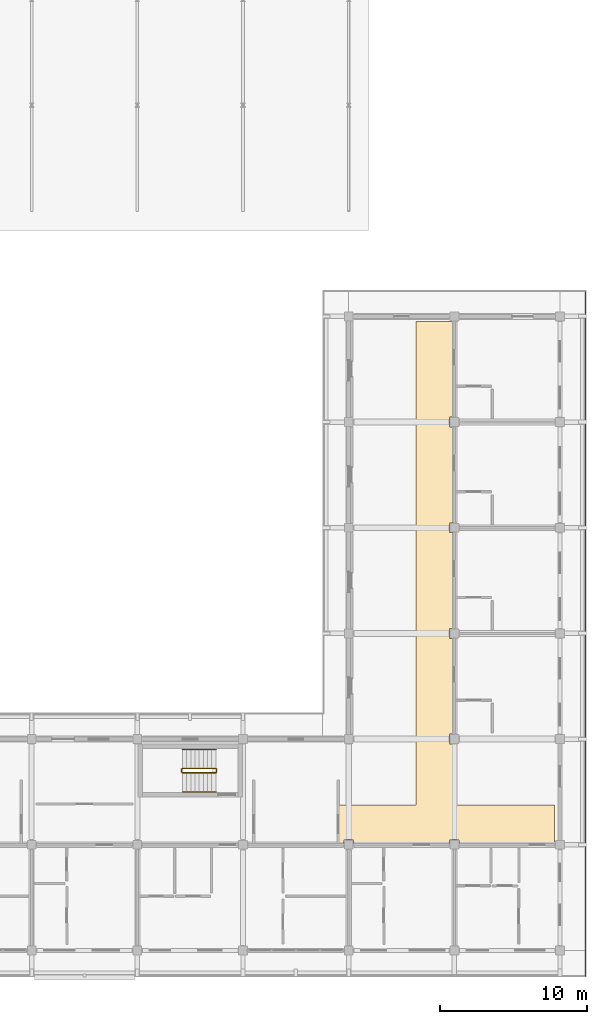
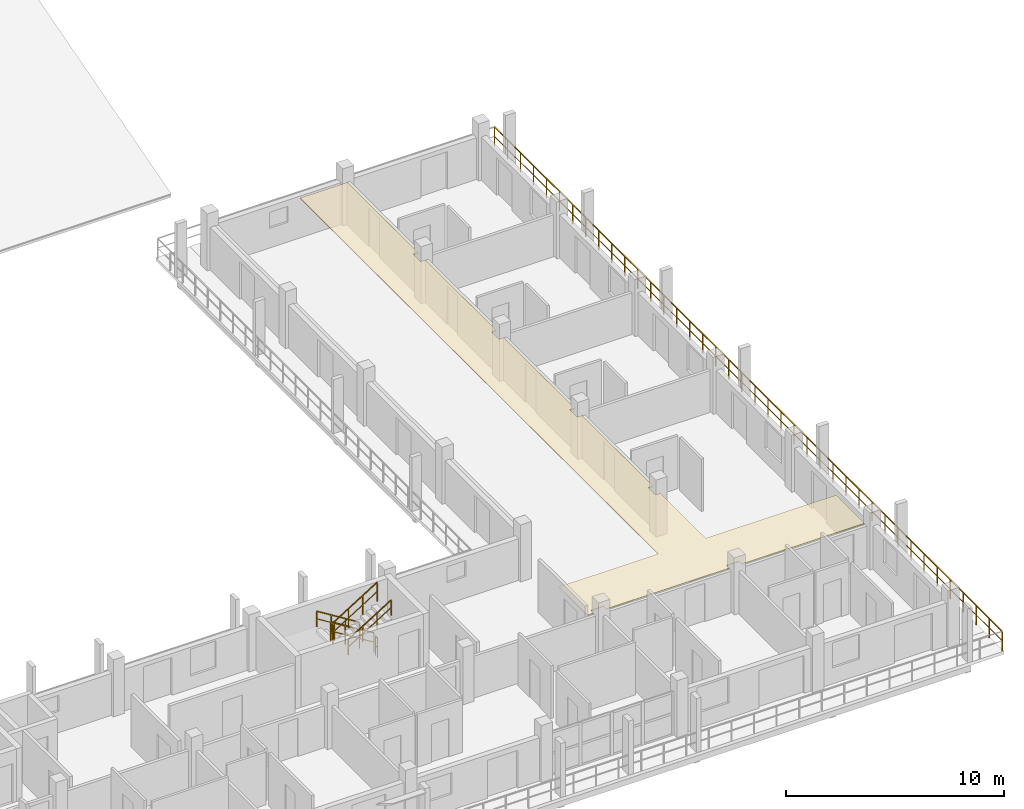
# One storey, part 153 of 157: 7 railings, 1 covering.
"""IFC4 building model written with IfcOpenShell, lengths in metres."""

from ifc_helpers import new_model, si_unit, direction, frame, origin, origin_2d, place, context, subcontext, project, spatial, polyline, rectangle, outline, extrude, material, layer, layer_set, type_object, element, save


model = new_model("IFC4")

# Units and contexts
model_context = context("Model", 3, precision=1e-05, world=origin(), true_north=direction((0.0, 1.0)))
body_context = subcontext(model_context, "Body", "Model", "MODEL_VIEW")
ifc_project = project(units=[si_unit("LENGTHUNIT", "METRE"), si_unit("AREAUNIT", "SQUARE_METRE"), si_unit("VOLUMEUNIT", "CUBIC_METRE"), si_unit("PLANEANGLEUNIT", "RADIAN"), si_unit("MASSUNIT", "GRAM", prefix="KILO")], contexts=[model_context])

# Site, building, storey
site_placement = place(None, origin())
site = spatial("IfcSite", under=ifc_project, at=site_placement, CompositionType="ELEMENT")
building_placement = place(site_placement, origin())
building = spatial("IfcBuilding", under=site, at=building_placement, Name="Suanplinth Sawtooth Commons", CompositionType="ELEMENT")
storey_placement = place(building_placement, frame((0.0, 0.0, 9.0)))
storey = spatial("IfcBuildingStorey", under=building, at=storey_placement, Name="L02", CompositionType="ELEMENT", Elevation=9.0)

# Covering
ifc_material_1 = material(Name="Mineral fibre acoustic tile")
ifc_layer = layer(ifc_material_1, 0.0400390625, Name="Perforated mineral-fibre acoustic suspended ceiling")
ifc_layer_set = layer_set([ifc_layer], Name="Mineral fibre acoustic tile")
covering_type = type_object("IfcCoveringType", Name="CV-CE01", PredefinedType="CEILING", material=ifc_layer_set)
covering_placement = place(storey_placement, frame((0.0, 0.0, 2.3798828125)))
element("IfcCovering", 1, at=covering_placement, inside=storey, type_object=covering_type, Name="L02 Block C Corridor Acoustic Ceiling", PredefinedType="CEILING", context=body_context, shape_type="SweptSolid", body=[
    extrude(outline(polyline([(172.1201171875, 9.89990234375), (177.39990234375, 9.89990234375), (177.39990234375, 42.840087890625), (179.919921875, 42.840087890625), (179.919921875, 36.330078125), (179.669921875, 36.330078125), (179.669921875, 35.669921875), (179.919921875, 35.669921875), (179.919921875, 29.1298828125), (179.669921875, 29.1298828125), (179.669921875, 28.469970703125), (179.919921875, 28.469970703125), (179.919921875, 21.929931640625), (179.669921875, 21.929931640625), (179.669921875, 21.27001953125), (179.919921875, 21.27001953125), (179.919921875, 14.72998046875), (179.669921875, 14.72998046875), (179.669921875, 14.070068359375), (179.919921875, 14.070068359375), (179.919921875, 9.89990234375), (186.840087890625, 9.89990234375), (186.840087890625, 7.280029296875), (180.330078125, 7.280029296875), (180.330078125, 7.530029296875), (179.669921875, 7.530029296875), (179.669921875, 7.280029296875), (173.1298828125, 7.280029296875), (173.1298828125, 7.530029296875), (172.469970703125, 7.530029296875), (172.469970703125, 7.280029296875), (172.1201171875, 7.280029296875), (172.1201171875, 9.89990234375)])), origin(), (0.0, 0.0, 1.0), 0.0400390625),
])

# Railings
ifc_material_2 = material(Name="Powder-coated galvanized steel", Category="steel")
railing_type_1 = type_object("IfcRailingType", Name="GR-01", PredefinedType="BALUSTRADE", material=ifc_material_2)
railing_1_placement = place(storey_placement, frame((188.93994140625, 44.93994140625, 0.0)))
element("IfcRailing", 2, at=railing_1_placement, inside=storey, type_object=railing_type_1, Name="L02 Block C Perimeter Balustrade 5", PredefinedType="BALUSTRADE", context=body_context, shape_type="SweptSolid", body=[
    extrude(rectangle(XDim=0.048095703125, YDim=0.048095703125, at=origin_2d()), frame((0.0, 0.0, 1.09619140625), z_axis=(0.0, -1.0, 0.0), x_axis=(1.0, 0.0, 0.0)), (0.0, 0.0, 1.0), 46.679931640625),
    extrude(rectangle(XDim=0.03369140625, YDim=0.03369140625, at=origin_2d()), frame((0.0, 0.0, 0.56005859375), z_axis=(0.0, -1.0, 0.0), x_axis=(1.0, 0.0, 0.0)), (0.0, 0.0, 1.0), 46.679931640625),
    extrude(rectangle(XDim=0.0419921875, YDim=0.0419921875, at=origin_2d()), origin(), (0.0, 0.0, 1.0), 1.072021484375),
    extrude(rectangle(XDim=0.0419921875, YDim=0.0419921875, at=origin_2d()), frame((0.0, -1.197021484375, 0.0)), (0.0, 0.0, 1.0), 1.072021484375),
    extrude(rectangle(XDim=0.0419921875, YDim=0.0419921875, at=origin_2d()), frame((0.0, -2.393798828125, 0.0)), (0.0, 0.0, 1.0), 1.072021484375),
    extrude(rectangle(XDim=0.0419921875, YDim=0.0419921875, at=origin_2d()), frame((0.0, -3.5908203125, 0.0)), (0.0, 0.0, 1.0), 1.072021484375),
    extrude(rectangle(XDim=0.0419921875, YDim=0.0419921875, at=origin_2d()), frame((0.0, -4.78759765625, 0.0)), (0.0, 0.0, 1.0), 1.072021484375),
    extrude(rectangle(XDim=0.0419921875, YDim=0.0419921875, at=origin_2d()), frame((0.0, -5.984619140625, 0.0)), (0.0, 0.0, 1.0), 1.072021484375),
    extrude(rectangle(XDim=0.0419921875, YDim=0.0419921875, at=origin_2d()), frame((0.0, -7.181640625, 0.0)), (0.0, 0.0, 1.0), 1.072021484375),
    extrude(rectangle(XDim=0.0419921875, YDim=0.0419921875, at=origin_2d()), frame((0.0, -8.37841796875, 0.0)), (0.0, 0.0, 1.0), 1.072021484375),
    extrude(rectangle(XDim=0.0419921875, YDim=0.0419921875, at=origin_2d()), frame((0.0, -9.575439453125, 0.0)), (0.0, 0.0, 1.0), 1.072021484375),
    extrude(rectangle(XDim=0.0419921875, YDim=0.0419921875, at=origin_2d()), frame((0.0, -10.772216796875, 0.0)), (0.0, 0.0, 1.0), 1.072021484375),
    extrude(rectangle(XDim=0.0419921875, YDim=0.0419921875, at=origin_2d()), frame((0.0, -11.96923828125, 0.0)), (0.0, 0.0, 1.0), 1.072021484375),
    extrude(rectangle(XDim=0.0419921875, YDim=0.0419921875, at=origin_2d()), frame((0.0, -13.166015625, 0.0)), (0.0, 0.0, 1.0), 1.072021484375),
    extrude(rectangle(XDim=0.0419921875, YDim=0.0419921875, at=origin_2d()), frame((0.0, -14.363037109375, 0.0)), (0.0, 0.0, 1.0), 1.072021484375),
    extrude(rectangle(XDim=0.0419921875, YDim=0.0419921875, at=origin_2d()), frame((0.0, -15.56005859375, 0.0)), (0.0, 0.0, 1.0), 1.072021484375),
    extrude(rectangle(XDim=0.0419921875, YDim=0.0419921875, at=origin_2d()), frame((0.0, -16.7568359375, 0.0)), (0.0, 0.0, 1.0), 1.072021484375),
    extrude(rectangle(XDim=0.0419921875, YDim=0.0419921875, at=origin_2d()), frame((0.0, -17.953857421875, 0.0)), (0.0, 0.0, 1.0), 1.072021484375),
    extrude(rectangle(XDim=0.0419921875, YDim=0.0419921875, at=origin_2d()), frame((0.0, -19.150634765625, 0.0)), (0.0, 0.0, 1.0), 1.072021484375),
    extrude(rectangle(XDim=0.0419921875, YDim=0.0419921875, at=origin_2d()), frame((0.0, -20.34765625, 0.0)), (0.0, 0.0, 1.0), 1.072021484375),
    extrude(rectangle(XDim=0.0419921875, YDim=0.0419921875, at=origin_2d()), frame((0.0, -21.544677734375, 0.0)), (0.0, 0.0, 1.0), 1.072021484375),
    extrude(rectangle(XDim=0.0419921875, YDim=0.0419921875, at=origin_2d()), frame((0.0, -22.741455078125, 0.0)), (0.0, 0.0, 1.0), 1.072021484375),
    extrude(rectangle(XDim=0.0419921875, YDim=0.0419921875, at=origin_2d()), frame((0.0, -23.9384765625, 0.0)), (0.0, 0.0, 1.0), 1.072021484375),
    extrude(rectangle(XDim=0.0419921875, YDim=0.0419921875, at=origin_2d()), frame((0.0, -25.13525390625, 0.0)), (0.0, 0.0, 1.0), 1.072021484375),
    extrude(rectangle(XDim=0.0419921875, YDim=0.0419921875, at=origin_2d()), frame((0.0, -26.332275390625, 0.0)), (0.0, 0.0, 1.0), 1.072021484375),
    extrude(rectangle(XDim=0.0419921875, YDim=0.0419921875, at=origin_2d()), frame((0.0, -27.529296875, 0.0)), (0.0, 0.0, 1.0), 1.072021484375),
    extrude(rectangle(XDim=0.0419921875, YDim=0.0419921875, at=origin_2d()), frame((0.0, -28.72607421875, 0.0)), (0.0, 0.0, 1.0), 1.072021484375),
    extrude(rectangle(XDim=0.0419921875, YDim=0.0419921875, at=origin_2d()), frame((0.0, -29.923095703125, 0.0)), (0.0, 0.0, 1.0), 1.072021484375),
    extrude(rectangle(XDim=0.0419921875, YDim=0.0419921875, at=origin_2d()), frame((0.0, -31.119873046875, 0.0)), (0.0, 0.0, 1.0), 1.072021484375),
    extrude(rectangle(XDim=0.0419921875, YDim=0.0419921875, at=origin_2d()), frame((0.0, -32.31689453125, 0.0)), (0.0, 0.0, 1.0), 1.072021484375),
    extrude(rectangle(XDim=0.0419921875, YDim=0.0419921875, at=origin_2d()), frame((0.0, -33.513916015625, 0.0)), (0.0, 0.0, 1.0), 1.072021484375),
    extrude(rectangle(XDim=0.0419921875, YDim=0.0419921875, at=origin_2d()), frame((0.0, -34.710693359375, 0.0)), (0.0, 0.0, 1.0), 1.072021484375),
    extrude(rectangle(XDim=0.0419921875, YDim=0.0419921875, at=origin_2d()), frame((0.0, -35.90771484375, 0.0)), (0.0, 0.0, 1.0), 1.072021484375),
    extrude(rectangle(XDim=0.0419921875, YDim=0.0419921875, at=origin_2d()), frame((0.0, -37.1044921875, 0.0)), (0.0, 0.0, 1.0), 1.072021484375),
    extrude(rectangle(XDim=0.0419921875, YDim=0.0419921875, at=origin_2d()), frame((0.0, -38.301513671875, 0.0)), (0.0, 0.0, 1.0), 1.072021484375),
    extrude(rectangle(XDim=0.0419921875, YDim=0.0419921875, at=origin_2d()), frame((0.0, -39.498291015625, 0.0)), (0.0, 0.0, 1.0), 1.072021484375),
    extrude(rectangle(XDim=0.0419921875, YDim=0.0419921875, at=origin_2d()), frame((0.0, -40.6953125, 0.0)), (0.0, 0.0, 1.0), 1.072021484375),
    extrude(rectangle(XDim=0.0419921875, YDim=0.0419921875, at=origin_2d()), frame((0.0, -41.892333984375, 0.0)), (0.0, 0.0, 1.0), 1.072021484375),
    extrude(rectangle(XDim=0.0419921875, YDim=0.0419921875, at=origin_2d()), frame((0.0, -43.089111328125, 0.0)), (0.0, 0.0, 1.0), 1.072021484375),
    extrude(rectangle(XDim=0.0419921875, YDim=0.0419921875, at=origin_2d()), frame((0.0, -44.2861328125, 0.0)), (0.0, 0.0, 1.0), 1.072021484375),
    extrude(rectangle(XDim=0.0419921875, YDim=0.0419921875, at=origin_2d()), frame((0.0, -45.48291015625, 0.0)), (0.0, 0.0, 1.0), 1.072021484375),
    extrude(rectangle(XDim=0.0419921875, YDim=0.0419921875, at=origin_2d()), frame((0.0, -46.679931640625, 0.0)), (0.0, 0.0, 1.0), 1.072021484375),
])
ifc_material_3 = material(Name="Stainless steel Grade 304", Category="steel")
railing_type_2 = type_object("IfcRailingType", Name="GR-04", PredefinedType="GUARDRAIL", material=ifc_material_3)
railing_2_placement = place(storey_placement, frame((163.75, 12.39990234375, 0.177734375)))
element("IfcRailing", 3, at=railing_2_placement, inside=storey, type_object=railing_type_2, Name="L02 ST-S2 Guard 1", PredefinedType="GUARDRAIL", context=body_context, shape_type="SweptSolid", body=[
    extrude(rectangle(XDim=0.048095703125, YDim=0.048095703125, at=origin_2d()), frame((0.0, 0.0, 1.076171875), z_axis=(-0.848442045328, 0.0, 0.529288291689), x_axis=(0.0, -1.0, 0.0)), (0.0, 0.0, 1.0), 2.687255859375),
    extrude(rectangle(XDim=0.03369140625, YDim=0.03369140625, at=origin_2d()), frame((0.0, 0.0, 0.550048828125), z_axis=(-0.848442045328, 0.0, 0.529288291689), x_axis=(0.0, -1.0, 0.0)), (0.0, 0.0, 1.0), 2.687255859375),
    extrude(rectangle(XDim=0.0419921875, YDim=0.0419921875, at=origin_2d()), origin(), (0.0, 0.0, 1.0), 1.052001953125),
    extrude(rectangle(XDim=0.0419921875, YDim=0.0419921875, at=origin_2d()), frame((-0.760009765625, 0.0, 0.47412109375)), (0.0, 0.0, 1.0), 1.052001953125),
    extrude(rectangle(XDim=0.0419921875, YDim=0.0419921875, at=origin_2d()), frame((-1.52001953125, 0.0, 0.9482421875)), (0.0, 0.0, 1.0), 1.052001953125),
    extrude(rectangle(XDim=0.0419921875, YDim=0.0419921875, at=origin_2d()), frame((-2.280029296875, 0.0, 1.42236328125)), (0.0, 0.0, 1.0), 1.052001953125),
])
railing_3_placement = place(storey_placement, frame((161.419921875, 12.35009765625, 1.60009765625)))
element("IfcRailing", 4, at=railing_3_placement, inside=storey, type_object=railing_type_2, Name="L02 ST-S2 Guard 2", PredefinedType="GUARDRAIL", context=body_context, shape_type="SweptSolid", body=[
    extrude(rectangle(XDim=0.048095703125, YDim=0.048095703125, at=origin_2d()), frame((0.0, 0.0, 1.076171875), z_axis=(0.0, -1.0, 0.0), x_axis=(1.0, 0.0, 0.0)), (0.0, 0.0, 1.0), 0.2001953125),
    extrude(rectangle(XDim=0.03369140625, YDim=0.03369140625, at=origin_2d()), frame((0.0, 0.0, 0.550048828125), z_axis=(0.0, -1.0, 0.0), x_axis=(1.0, 0.0, 0.0)), (0.0, 0.0, 1.0), 0.2001953125),
    extrude(rectangle(XDim=0.0419921875, YDim=0.0419921875, at=origin_2d()), origin(), (0.0, 0.0, 1.0), 1.052001953125),
    extrude(rectangle(XDim=0.0419921875, YDim=0.0419921875, at=origin_2d()), frame((0.0, -0.2001953125, 0.0)), (0.0, 0.0, 1.0), 1.052001953125),
])
railing_4_placement = place(storey_placement, frame((161.469970703125, 12.10009765625, 1.77783203125)))
element("IfcRailing", 5, at=railing_4_placement, inside=storey, type_object=railing_type_2, Name="L02 ST-S2 Guard 3", PredefinedType="GUARDRAIL", context=body_context, shape_type="SweptSolid", body=[
    extrude(rectangle(XDim=0.048095703125, YDim=0.048095703125, at=origin_2d()), frame((0.0, 0.0, 1.076171875), z_axis=(0.848482842525, 0.0, 0.529222888715), x_axis=(0.0, 1.0, 0.0)), (0.0, 0.0, 1.0), 2.687255859375),
    extrude(rectangle(XDim=0.03369140625, YDim=0.03369140625, at=origin_2d()), frame((0.0, 0.0, 0.550048828125), z_axis=(0.848482842525, 0.0, 0.529222888715), x_axis=(0.0, 1.0, 0.0)), (0.0, 0.0, 1.0), 2.687255859375),
    extrude(rectangle(XDim=0.0419921875, YDim=0.0419921875, at=origin_2d()), origin(), (0.0, 0.0, 1.0), 1.052001953125),
    extrude(rectangle(XDim=0.0419921875, YDim=0.0419921875, at=origin_2d()), frame((0.760009765625, 0.0, 0.47412109375)), (0.0, 0.0, 1.0), 1.052001953125),
    extrude(rectangle(XDim=0.0419921875, YDim=0.0419921875, at=origin_2d()), frame((1.52001953125, 0.0, 0.947998046875)), (0.0, 0.0, 1.0), 1.052001953125),
    extrude(rectangle(XDim=0.0419921875, YDim=0.0419921875, at=origin_2d()), frame((2.280029296875, 0.0, 1.422119140625)), (0.0, 0.0, 1.0), 1.052001953125),
])
railing_5_placement = place(storey_placement, frame((163.800048828125, 12.35009765625, 0.0)))
element("IfcRailing", 6, at=railing_5_placement, inside=storey, type_object=railing_type_2, Name="L02 ST-S2 Guard 4", PredefinedType="GUARDRAIL", context=body_context, shape_type="SweptSolid", body=[
    extrude(rectangle(XDim=0.048095703125, YDim=0.048095703125, at=origin_2d()), frame((0.0, 0.0, 1.076171875), z_axis=(0.0, -1.0, 0.0), x_axis=(1.0, 0.0, 0.0)), (0.0, 0.0, 1.0), 0.2001953125),
    extrude(rectangle(XDim=0.03369140625, YDim=0.03369140625, at=origin_2d()), frame((0.0, 0.0, 0.550048828125), z_axis=(0.0, -1.0, 0.0), x_axis=(1.0, 0.0, 0.0)), (0.0, 0.0, 1.0), 0.2001953125),
    extrude(rectangle(XDim=0.0419921875, YDim=0.0419921875, at=origin_2d()), origin(), (0.0, 0.0, 1.0), 1.052001953125),
    extrude(rectangle(XDim=0.0419921875, YDim=0.0419921875, at=origin_2d()), frame((0.0, -0.2001953125, 0.0)), (0.0, 0.0, 1.0), 1.052001953125),
])
railing_type_3 = type_object("IfcRailingType", Name="HR-01", PredefinedType="HANDRAIL", material=ifc_material_3)
railing_6_placement = place(storey_placement, frame((163.75, 13.699951171875, 0.177734375)))
element("IfcRailing", 7, at=railing_6_placement, inside=storey, type_object=railing_type_3, Name="L02 ST-S2 Handrail 1", PredefinedType="HANDRAIL", context=body_context, shape_type="SweptSolid", body=[
    extrude(rectangle(XDim=0.048095703125, YDim=0.048095703125, at=origin_2d()), frame((0.0, 0.0, 0.8759765625), z_axis=(-0.848442045328, 0.0, 0.529288291689), x_axis=(0.0, -1.0, 0.0)), (0.0, 0.0, 1.0), 2.687255859375),
    extrude(rectangle(XDim=0.03369140625, YDim=0.03369140625, at=origin_2d()), frame((0.0, 0.0, 0.449951171875), z_axis=(-0.848442045328, 0.0, 0.529288291689), x_axis=(0.0, -1.0, 0.0)), (0.0, 0.0, 1.0), 2.687255859375),
    extrude(rectangle(XDim=0.0419921875, YDim=0.0419921875, at=origin_2d()), origin(), (0.0, 0.0, 1.0), 0.851806640625),
    extrude(rectangle(XDim=0.0419921875, YDim=0.0419921875, at=origin_2d()), frame((-0.760009765625, 0.0, 0.47412109375)), (0.0, 0.0, 1.0), 0.851806640625),
    extrude(rectangle(XDim=0.0419921875, YDim=0.0419921875, at=origin_2d()), frame((-1.52001953125, 0.0, 0.9482421875)), (0.0, 0.0, 1.0), 0.851806640625),
    extrude(rectangle(XDim=0.0419921875, YDim=0.0419921875, at=origin_2d()), frame((-2.280029296875, 0.0, 1.42236328125)), (0.0, 0.0, 1.0), 0.851806640625),
])
railing_7_placement = place(storey_placement, frame((161.469970703125, 10.800048828125, 1.77783203125)))
element("IfcRailing", 8, at=railing_7_placement, inside=storey, type_object=railing_type_3, Name="L02 ST-S2 Handrail 2", PredefinedType="HANDRAIL", context=body_context, shape_type="SweptSolid", body=[
    extrude(rectangle(XDim=0.048095703125, YDim=0.048095703125, at=origin_2d()), frame((0.0, 0.0, 0.8759765625), z_axis=(0.848482842525, 0.0, 0.529222888715), x_axis=(0.0, 1.0, 0.0)), (0.0, 0.0, 1.0), 2.687255859375),
    extrude(rectangle(XDim=0.03369140625, YDim=0.03369140625, at=origin_2d()), frame((0.0, 0.0, 0.449951171875), z_axis=(0.848482842525, 0.0, 0.529222888715), x_axis=(0.0, 1.0, 0.0)), (0.0, 0.0, 1.0), 2.687255859375),
    extrude(rectangle(XDim=0.0419921875, YDim=0.0419921875, at=origin_2d()), origin(), (0.0, 0.0, 1.0), 0.851806640625),
    extrude(rectangle(XDim=0.0419921875, YDim=0.0419921875, at=origin_2d()), frame((0.760009765625, 0.0, 0.47412109375)), (0.0, 0.0, 1.0), 0.851806640625),
    extrude(rectangle(XDim=0.0419921875, YDim=0.0419921875, at=origin_2d()), frame((1.52001953125, 0.0, 0.947998046875)), (0.0, 0.0, 1.0), 0.851806640625),
    extrude(rectangle(XDim=0.0419921875, YDim=0.0419921875, at=origin_2d()), frame((2.280029296875, 0.0, 1.422119140625)), (0.0, 0.0, 1.0), 0.851806640625),
])

save(model, "model.ifc")
